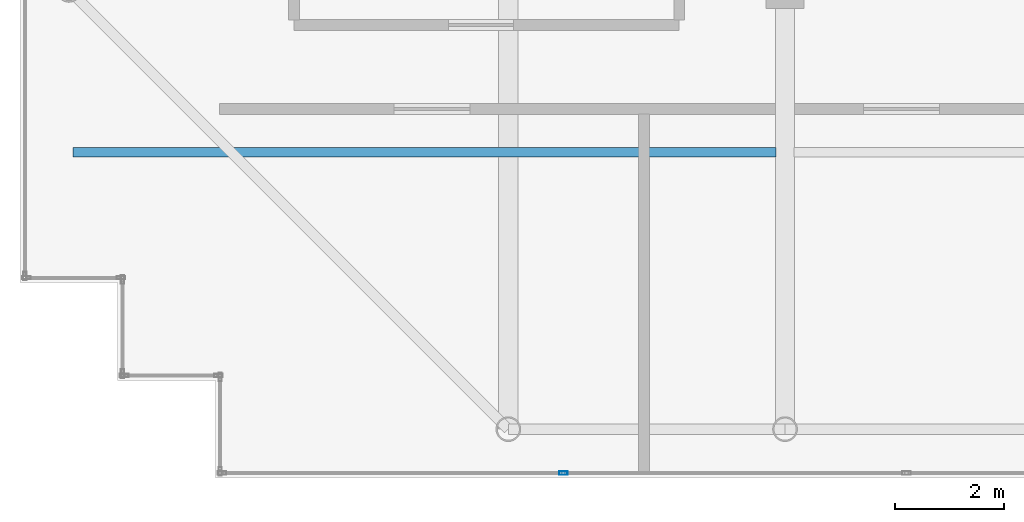
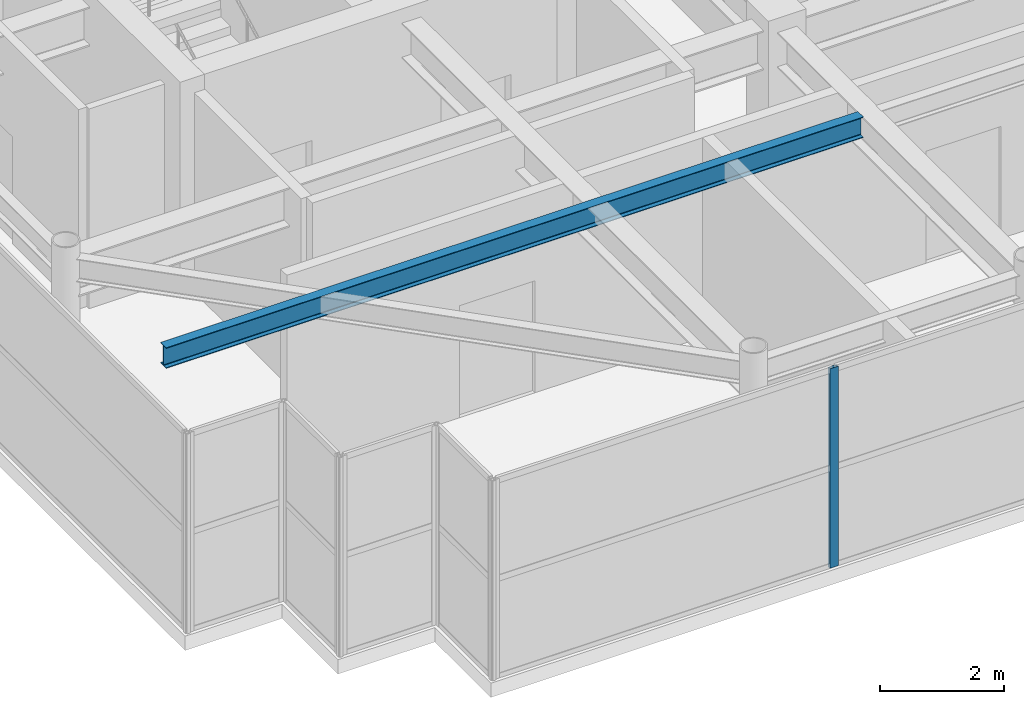
# One storey, part 3 of 32: 1 beam, 1 member, 1 element without a shape of its own.
"""IFC4 building model written with IfcOpenShell, lengths in metres."""

from ifc_helpers import new_model, si_unit, direction, frame, origin, origin_2d, place, context, subcontext, project, spatial, hollow_rectangle, i_section, extrude, source, transform, mapped, material, layer, layer_set, material_profile, profile_set, type_object, element, aggregate, save


model = new_model("IFC4")

# Units and contexts
model_context = context("Model", 3, precision=1e-05, world=origin(), true_north=direction((0.0, 1.0)))
body_context = subcontext(model_context, "Body", "Model", "MODEL_VIEW")
ifc_project = project(units=[si_unit("LENGTHUNIT", "METRE"), si_unit("AREAUNIT", "SQUARE_METRE"), si_unit("VOLUMEUNIT", "CUBIC_METRE"), si_unit("PLANEANGLEUNIT", "RADIAN"), si_unit("MASSUNIT", "GRAM", prefix="KILO")], contexts=[model_context])

# Site, building, storey
site_placement = place(None, origin())
site = spatial("IfcSite", under=ifc_project, at=site_placement, CompositionType="ELEMENT")
building_placement = place(site_placement, origin())
building = spatial("IfcBuilding", under=site, at=building_placement, Name="Khoralis Quay Care Tower", CompositionType="ELEMENT")
storey_placement = place(building_placement, frame((0.0, 0.0, 310.5)))
storey = spatial("IfcBuildingStorey", under=building, at=storey_placement, Name="L81", CompositionType="ELEMENT", Elevation=310.5)

# Beam
ifc_material_1 = material(Name="Steel S355", Category="steel")
ifc_material_profile_1 = material_profile(ifc_material_1, i_section(OverallWidth=0.177978515625, OverallDepth=0.406982421875, WebThickness=0.0078125, FlangeThickness=0.0126953125, FilletRadius=0.012939453125, at=origin_2d()), Name="Steel S355")
ifc_profile_set_1 = profile_set([ifc_material_profile_1], Name="Steel S355")
beam_type = type_object("IfcBeamType", Name="BM-W410X60", PredefinedType="JOIST", material=ifc_profile_set_1)
shared_shape_1 = source(origin(), body_context, "Body", "SweptSolid", [
    extrude(i_section(OverallWidth=0.177978515625, OverallDepth=0.406982421875, WebThickness=0.0078125, FlangeThickness=0.0126953125, FilletRadius=0.012939453125, at=origin_2d()), origin(), (0.0, 0.0, 1.0), 12.95361328125),
])
beam_placement = place(storey_placement, frame((3.98095703125, 9.0, 3.716552734375), z_axis=(1.0, 0.0, 0.0), x_axis=(0.0, 1.0, 0.0)))
element("IfcBeam", 1, at=beam_placement, inside=storey, type_object=beam_type, Name="BM-TJS-L81-21", PredefinedType="JOIST", context=body_context, shape_type="MappedRepresentation", body=[
    mapped(shared_shape_1, transform((0.0, 0.0, 0.0), scale=1.0)),
])

# Curtain wall, member
ifc_material_2 = material(Name="Pale anodised aluminium", Category="aluminium")
ifc_layer = layer(ifc_material_2, 0.199951171875)
ifc_layer_set = layer_set([ifc_layer], Name="Pale anodised aluminium")
curtain_wall_type = type_object("IfcCurtainWallType", Name="CW-SYS-LANTERN", PredefinedType="NOTDEFINED", material=ifc_layer_set)
curtain_wall_placement = place(storey_placement, origin())
curtain_wall = element("IfcCurtainWall", 2, at=curtain_wall_placement, inside=storey, type_object=curtain_wall_type, Name="L81 Unitised Curtain Wall CW-LN-L81-01", PredefinedType="NOTDEFINED")
ifc_material_profile_2 = material_profile(ifc_material_2, hollow_rectangle(XDim=0.06005859375, YDim=0.159912109375, WallThickness=0.00390625, at=origin_2d()), Name="Pale anodised aluminium")
ifc_profile_set_2 = profile_set([ifc_material_profile_2], Name="Pale anodised aluminium")
member_type = type_object("IfcMemberType", Name="CW-MUL-160", PredefinedType="MULLION", material=ifc_profile_set_2)
shared_shape_2 = source(origin(), body_context, "Body", "SweptSolid", [
    extrude(hollow_rectangle(XDim=0.06005859375, YDim=0.159912109375, WallThickness=0.00390625, at=origin_2d()), origin(), (0.0, 0.0, 1.0), 3.919921875),
])
member_placement = place(storey_placement, frame((13.013916015625, 3.090087890625, 0.0), z_axis=(0.0, 0.0, 1.0), x_axis=(0.0, 1.0, 0.0)))
member = element("IfcMember", 3, at=member_placement, type_object=member_type, Name="CW5 mullion 2", PredefinedType="MULLION", context=body_context, shape_type="MappedRepresentation", body=[
    mapped(shared_shape_2, transform((0.0, 0.0, 0.0), scale=1.0)),
])
aggregate(curtain_wall, [member])

save(model, "model.ifc")
